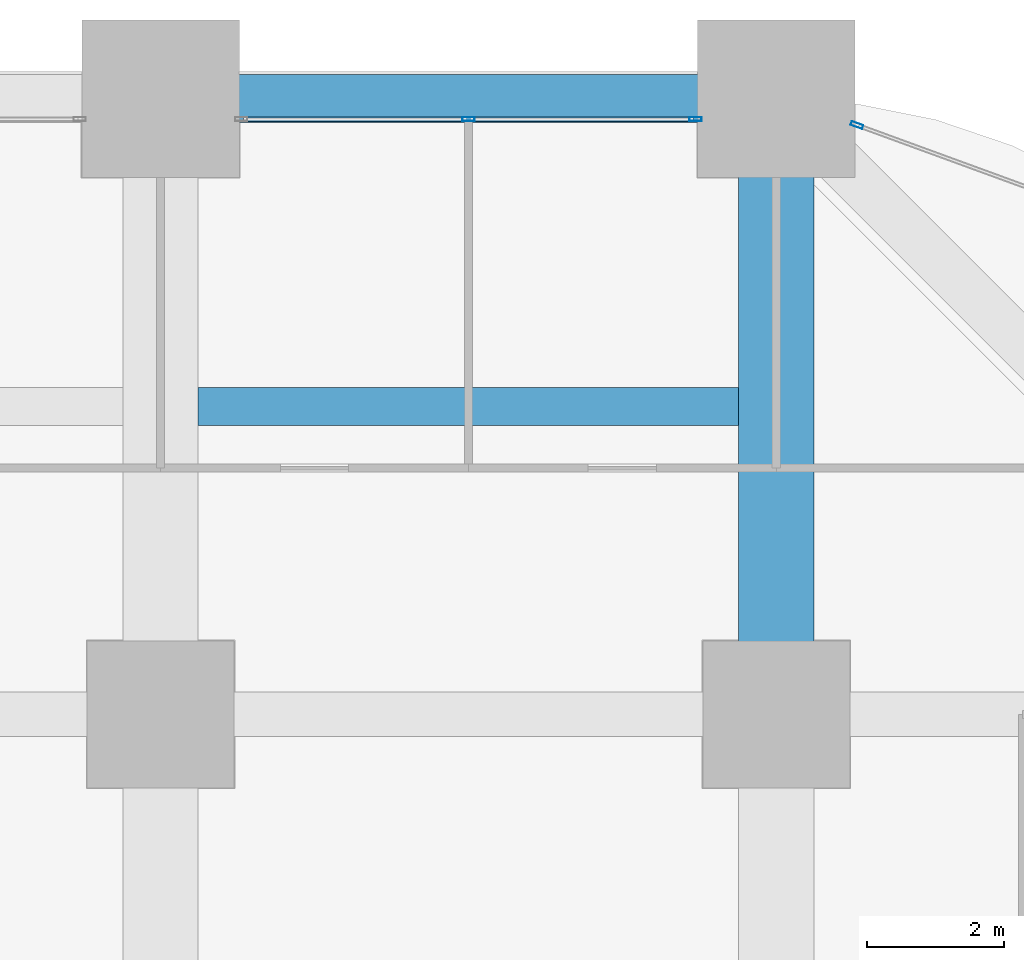
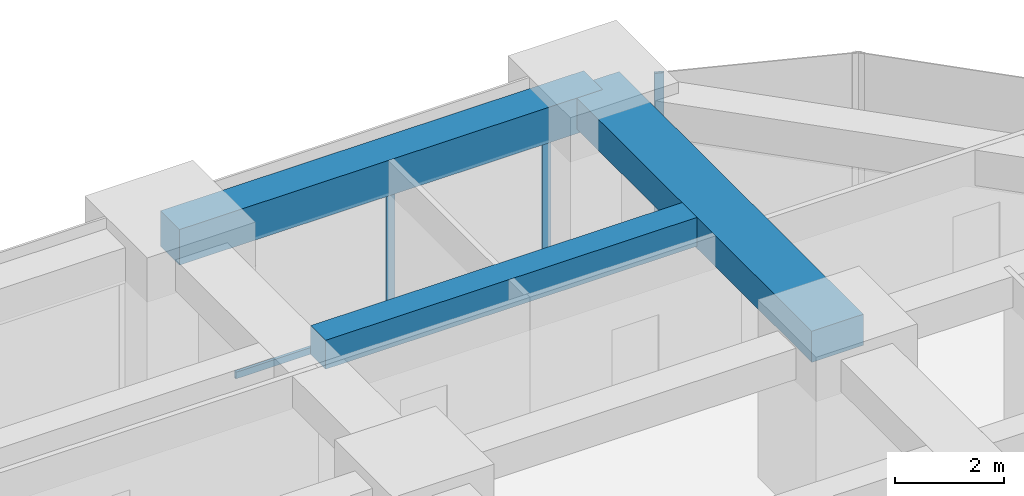
# One storey, part 36 of 44: 4 members, 3 beams, 2 elements without a shape of their own.
"""IFC4 building model written with IfcOpenShell, lengths in metres."""

from ifc_helpers import new_model, si_unit, direction, frame, origin, origin_2d, place, context, subcontext, project, spatial, rectangle, hollow_rectangle, extrude, material, material_profile, profile_set, type_object, element, aggregate, save


model = new_model("IFC4")

# Units and contexts
model_context = context("Model", 3, precision=1e-05, world=origin(), true_north=direction((0.0, 1.0)))
body_context = subcontext(model_context, "Body", "Model", "MODEL_VIEW")
ifc_project = project(units=[si_unit("LENGTHUNIT", "METRE"), si_unit("AREAUNIT", "SQUARE_METRE"), si_unit("VOLUMEUNIT", "CUBIC_METRE"), si_unit("PLANEANGLEUNIT", "RADIAN"), si_unit("MASSUNIT", "GRAM", prefix="KILO")], contexts=[model_context])

# Site, building, storey
site_placement = place(None, origin())
site = spatial("IfcSite", under=ifc_project, at=site_placement, CompositionType="ELEMENT")
building_placement = place(site_placement, origin())
building = spatial("IfcBuilding", under=site, at=building_placement, Name="Zorevar Civic Tower", CompositionType="ELEMENT")
storey_placement = place(building_placement, frame((0.0, 0.0, 51.800048828125)))
storey = spatial("IfcBuildingStorey", under=building, at=storey_placement, Name="L12", CompositionType="ELEMENT", Elevation=51.800048828125)

# Beams
ifc_material_1 = material(Name="Concrete C50/60", Category="concrete")
ifc_material_profile_1 = material_profile(ifc_material_1, rectangle(XDim=1.10009765625, YDim=0.699951171875, at=origin_2d()), Name="RC 1100x700")
ifc_profile_set_1 = profile_set([ifc_material_profile_1], Name="Concrete C50/60")
beam_type_1 = type_object("IfcBeamType", Name="Beam RC 1100x700", PredefinedType="BEAM", material=ifc_profile_set_1)
beam_1_placement = place(storey_placement, frame((54.0, 45.0, 3.39990234375), z_axis=(0.0, 1.0, 0.0), x_axis=(-1.0, 0.0, 0.0)))
element("IfcBeam", 1, at=beam_1_placement, inside=storey, type_object=beam_type_1, Name="Girder L13", PredefinedType="BEAM", context=body_context, shape_type="SweptSolid", body=[
    extrude(rectangle(XDim=1.10009765625, YDim=0.699951171875, at=origin_2d()), origin(), (0.0, 0.0, 1.0), 9.0),
])
ifc_material_2 = material(Name="Concrete C50/60", Category="concrete")
ifc_material_profile_2 = material_profile(ifc_material_2, rectangle(XDim=0.550048828125, YDim=0.64990234375, at=origin_2d()), Name="RC 550x650")
ifc_profile_set_2 = profile_set([ifc_material_profile_2], Name="Concrete C50/60")
beam_type_2 = type_object("IfcBeamType", Name="Beam RC 550x650", PredefinedType="BEAM", material=ifc_profile_set_2)
beam_2_placement = place(storey_placement, frame((45.550048828125, 49.5, 3.425048828125), z_axis=(1.0, 0.0, 0.0), x_axis=(0.0, 1.0, 0.0)))
element("IfcBeam", 2, at=beam_2_placement, inside=storey, type_object=beam_type_2, Name="Secondary beam L13", PredefinedType="BEAM", context=body_context, shape_type="SweptSolid", body=[
    extrude(rectangle(XDim=0.550048828125, YDim=0.64990234375, at=origin_2d()), origin(), (0.0, 0.0, 1.0), 7.89990234375),
])

# Curtain wall, members
ifc_material_3 = material(Name="Dark grey solar-control glass in black aluminium frame", Category="aluminium")
curtain_wall_type = type_object("IfcCurtainWallType", Name="Curtain wall CW2 low zone", PredefinedType="NOTDEFINED", material=ifc_material_3)
curtain_wall_1_placement = place(storey_placement, origin())
curtain_wall_1 = element("IfcCurtainWall", 3, at=curtain_wall_1_placement, inside=storey, type_object=curtain_wall_type, Name="CW2 L12", PredefinedType="NOTDEFINED")
ifc_material_4 = material(Name="Aluminium, black anodised", Category="aluminium")
ifc_material_profile_3 = material_profile(ifc_material_4, hollow_rectangle(XDim=0.06005859375, YDim=0.179931640625, WallThickness=0.00390625, at=origin_2d()), Name="AL 180x60x4")
ifc_profile_set_3 = profile_set([ifc_material_profile_3], Name="Aluminium, black anodised")
member_type_1 = type_object("IfcMemberType", Name="CW2 mullion AL 180x60x4", PredefinedType="MULLION", material=ifc_profile_set_3)
member_1_placement = place(storey_placement, frame((49.5, 53.699951171875, 0.06005859375), z_axis=(0.0, 0.0, 1.0), x_axis=(0.0, 1.0, 0.0)))
member_1 = element("IfcMember", 4, at=member_1_placement, type_object=member_type_1, Name="CW2 mullion 2", PredefinedType="MULLION", context=body_context, shape_type="SweptSolid", body=[
    extrude(hollow_rectangle(XDim=0.06005859375, YDim=0.179931640625, WallThickness=0.00390625, at=origin_2d()), origin(), (0.0, 0.0, 1.0), 2.889892578125),
])
member_2_placement = place(storey_placement, frame((52.820068359375, 53.699951171875, 0.0), z_axis=(0.0, 0.0, 1.0), x_axis=(0.0, 1.0, 0.0)))
member_2 = element("IfcMember", 5, at=member_2_placement, type_object=member_type_1, Name="CW2 mullion 3", PredefinedType="MULLION", context=body_context, shape_type="SweptSolid", body=[
    extrude(hollow_rectangle(XDim=0.06005859375, YDim=0.179931640625, WallThickness=0.00390625, at=origin_2d()), origin(), (0.0, 0.0, 1.0), 2.949951171875),
])

# Curtain wall, member
curtain_wall_2_placement = place(storey_placement, origin())
curtain_wall_2 = element("IfcCurtainWall", 6, at=curtain_wall_2_placement, inside=storey, type_object=curtain_wall_type, Name="CW2 L12", PredefinedType="NOTDEFINED")
member_3_placement = place(storey_placement, frame((55.17822265625, 53.61328125, 0.0), z_axis=(0.0, 0.0, 1.0), x_axis=(-0.343060400701, -0.939313345732, 0.0)))
member_3 = element("IfcMember", 7, at=member_3_placement, type_object=member_type_1, Name="CW2 mullion 2", PredefinedType="MULLION", context=body_context, shape_type="SweptSolid", body=[
    extrude(hollow_rectangle(XDim=0.06005859375, YDim=0.179931640625, WallThickness=0.00390625, at=origin_2d()), origin(), (0.0, 0.0, 1.0), 3.75),
])
aggregate(curtain_wall_2, [member_3])

# Member
ifc_material_5 = material(Name="Aluminium, black anodised", Category="aluminium")
ifc_material_profile_4 = material_profile(ifc_material_5, hollow_rectangle(XDim=0.06005859375, YDim=0.14990234375, WallThickness=0.00390625, at=origin_2d()), Name="AL 150x60x4")
ifc_profile_set_4 = profile_set([ifc_material_profile_4], Name="Aluminium, black anodised")
member_type_2 = type_object("IfcMemberType", Name="CW2 transom AL 150x60x4", PredefinedType="USERDEFINED", material=ifc_profile_set_4)
member_4_placement = place(storey_placement, frame((46.2099609375, 53.699951171875, 0.030029296875), z_axis=(1.0, 0.0, 0.0), x_axis=(0.0, 1.0, 0.0)))
member_4 = element("IfcMember", 8, at=member_4_placement, type_object=member_type_2, Name="CW2 sill transom", ObjectType="TRANSOM", PredefinedType="USERDEFINED", context=body_context, shape_type="SweptSolid", body=[
    extrude(hollow_rectangle(XDim=0.06005859375, YDim=0.14990234375, WallThickness=0.00390625, at=origin_2d()), origin(), (0.0, 0.0, 1.0), 6.580078125),
])

aggregate(curtain_wall_1, [member_1, member_2, member_4])

# Beam
ifc_material_6 = material(Name="Concrete C50/60", Category="concrete")
ifc_material_profile_5 = material_profile(ifc_material_6, rectangle(XDim=0.699951171875, YDim=0.800048828125, at=origin_2d()), Name="RC 700x800")
ifc_profile_set_5 = profile_set([ifc_material_profile_5], Name="Concrete C50/60")
beam_type_3 = type_object("IfcBeamType", Name="Edge beam RC 700x800", PredefinedType="SPANDREL", material=ifc_profile_set_5)
beam_3_placement = place(storey_placement, frame((45.0, 54.0, 3.349853515625), z_axis=(1.0, 0.0, 0.0), x_axis=(0.0, 1.0, 0.0)))
element("IfcBeam", 9, at=beam_3_placement, inside=storey, type_object=beam_type_3, Name="Edge beam L13", PredefinedType="SPANDREL", context=body_context, shape_type="SweptSolid", body=[
    extrude(rectangle(XDim=0.699951171875, YDim=0.800048828125, at=origin_2d()), origin(), (0.0, 0.0, 1.0), 9.0),
])

save(model, "model.ifc")
